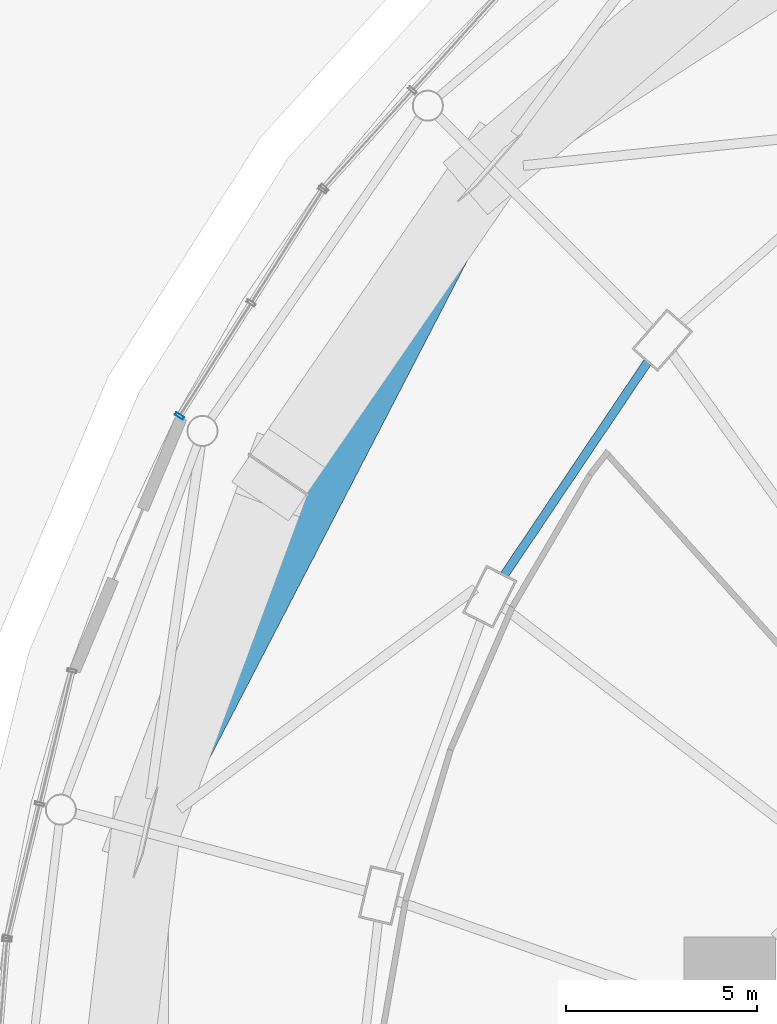
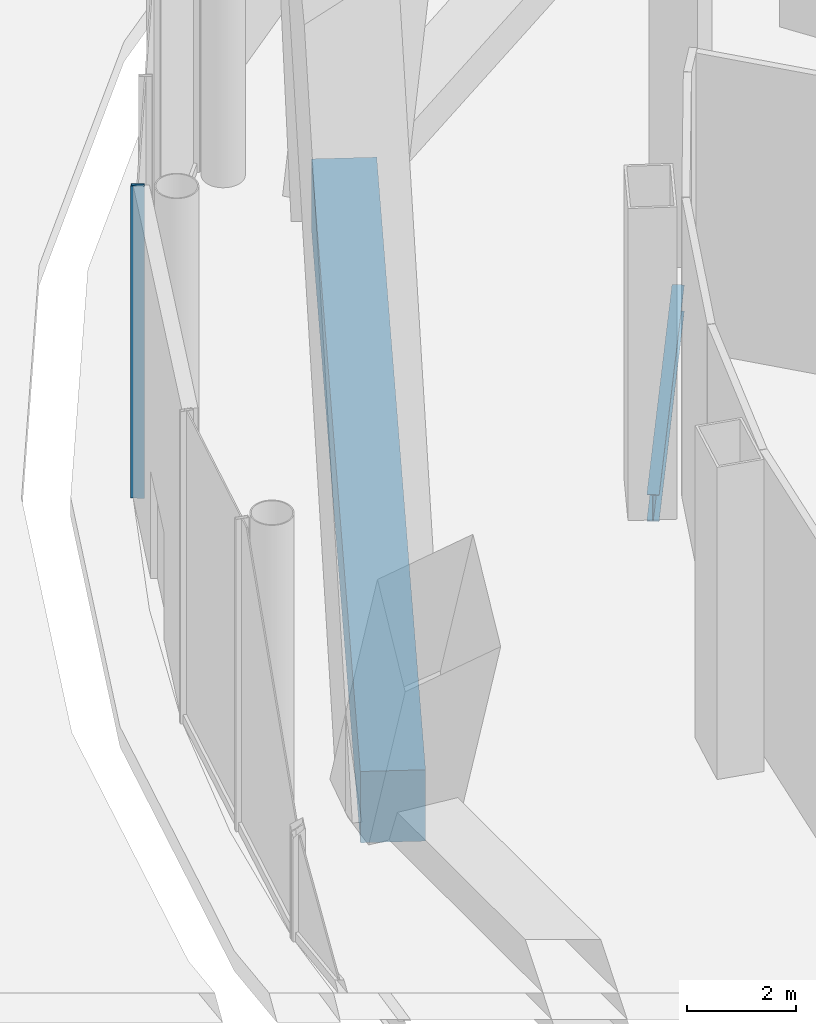
# One storey, part 28 of 67: 2 members, 1 beam, 1 element without a shape of its own.
"""IFC4 building model written with IfcOpenShell, lengths in metres."""

from ifc_helpers import new_model, si_unit, direction, frame, origin, origin_2d, place, context, subcontext, project, spatial, rectangle, hollow_rectangle, i_section, extrude, material, layer, layer_set, material_profile, profile_set, type_object, element, aggregate, save


model = new_model("IFC4")

# Units and contexts
model_context = context("Model", 3, precision=1e-05, world=origin(), true_north=direction((0.0, 1.0)))
body_context = subcontext(model_context, "Body", "Model", "MODEL_VIEW")
ifc_project = project(units=[si_unit("LENGTHUNIT", "METRE"), si_unit("AREAUNIT", "SQUARE_METRE"), si_unit("VOLUMEUNIT", "CUBIC_METRE"), si_unit("PLANEANGLEUNIT", "RADIAN"), si_unit("MASSUNIT", "GRAM", prefix="KILO")], contexts=[model_context])

# Site, building, storey
site_placement = place(None, origin())
site = spatial("IfcSite", under=ifc_project, at=site_placement, CompositionType="ELEMENT")
building_placement = place(site_placement, origin())
building = spatial("IfcBuilding", under=site, at=building_placement, Name="Nagisa Residences", CompositionType="ELEMENT")
storey_placement = place(building_placement, origin())
storey = spatial("IfcBuildingStorey", under=building, at=storey_placement, Name="L00", CompositionType="ELEMENT", Elevation=0.0)

# Curtain wall, member
ifc_material_1 = material(Name="Stainless steel curtain wall system", Category="steel")
ifc_layer = layer(ifc_material_1, 0.159912109375)
ifc_layer_set = layer_set([ifc_layer], Name="CW3 CURTAIN WALL")
curtain_wall_type = type_object("IfcCurtainWallType", Name="CW3 CURTAIN WALL", PredefinedType="NOTDEFINED", material=ifc_layer_set)
curtain_wall_placement = place(storey_placement, origin())
curtain_wall = element("IfcCurtainWall", 1, at=curtain_wall_placement, inside=storey, type_object=curtain_wall_type, Name="cw:CW3:L00:14", PredefinedType="NOTDEFINED")
ifc_material_2 = material(Name="Stainless steel", Category="steel")
ifc_material_profile_1 = material_profile(ifc_material_2, hollow_rectangle(XDim=0.25, YDim=0.080078125, WallThickness=0.008056640625, at=origin_2d()), Name="CW3 MULLION 250x80")
ifc_profile_set_1 = profile_set([ifc_material_profile_1], Name="Stainless steel")
member_type_1 = type_object("IfcMemberType", Name="CW3 MULLION 250x80", PredefinedType="MULLION", material=ifc_profile_set_1)
member_1_placement = place(storey_placement, frame((-29.219970703125, 20.990966796875, 0.0), z_axis=(0.0, 0.0, 1.0), x_axis=(0.844747368001, -0.535165286856, 0.0)))
member_1 = element("IfcMember", 2, at=member_1_placement, type_object=member_type_1, Name="CW3 mullion", PredefinedType="MULLION", context=body_context, shape_type="SweptSolid", body=[
    extrude(hollow_rectangle(XDim=0.25, YDim=0.080078125, WallThickness=0.008056640625, at=origin_2d()), origin(), (0.0, 0.0, 1.0), 7.0),
])
aggregate(curtain_wall, [member_1])

# Member
ifc_material_3 = material(Name="Concrete C80", Category="concrete")
ifc_material_profile_2 = material_profile(ifc_material_3, rectangle(XDim=1.199951171875, YDim=1.60009765625, at=origin_2d()), Name="C80 1200x1600")
ifc_profile_set_2 = profile_set([ifc_material_profile_2], Name="Concrete C80")
member_type_2 = type_object("IfcMemberType", Name="Cage ring 1 C80 1200x1600", PredefinedType="CHORD", material=ifc_profile_set_2)
member_2_placement = place(storey_placement, frame((-21.078125, 27.50634765625, 0.0), z_axis=(-0.459942644768, -0.887948626624, 0.0), x_axis=(0.887948626624, -0.459942644768, 0.0)))
element("IfcMember", 3, at=member_2_placement, inside=storey, type_object=member_type_2, Name="beam:L00:cg1r005", PredefinedType="CHORD", context=body_context, shape_type="SweptSolid", body=[
    extrude(rectangle(XDim=1.199951171875, YDim=1.60009765625, at=origin_2d()), origin(), (0.0, 0.0, 1.0), 19.638671875),
])

# Beam
ifc_material_4 = material(Name="Steel ASTM A572 Gr 50", Category="steel")
ifc_material_profile_3 = material_profile(ifc_material_4, i_section(OverallWidth=0.22802734375, OverallDepth=0.60302734375, WebThickness=0.010498046875, FlangeThickness=0.014892578125, at=origin_2d()), Name="W610x101")
ifc_profile_set_3 = profile_set([ifc_material_profile_3], Name="Steel ASTM A572 Gr 50")
beam_type = type_object("IfcBeamType", Name="Perimeter ring beam W610x101", PredefinedType="BEAM", material=ifc_profile_set_3)
beam_placement = place(storey_placement, frame((-16.935302734375, 22.411865234375, -0.701416015625), z_axis=(-0.558296806041, -0.829641293792, 0.0), x_axis=(0.829641293792, -0.558296806041, 0.0)))
element("IfcBeam", 4, at=beam_placement, inside=storey, type_object=beam_type, Name="beam:L00:pb10", PredefinedType="BEAM", context=body_context, shape_type="SweptSolid", body=[
    extrude(i_section(OverallWidth=0.22802734375, OverallDepth=0.60302734375, WebThickness=0.010498046875, FlangeThickness=0.014892578125, at=origin_2d()), origin(), (0.0, 0.0, 1.0), 6.74169921875),
])

save(model, "model.ifc")
